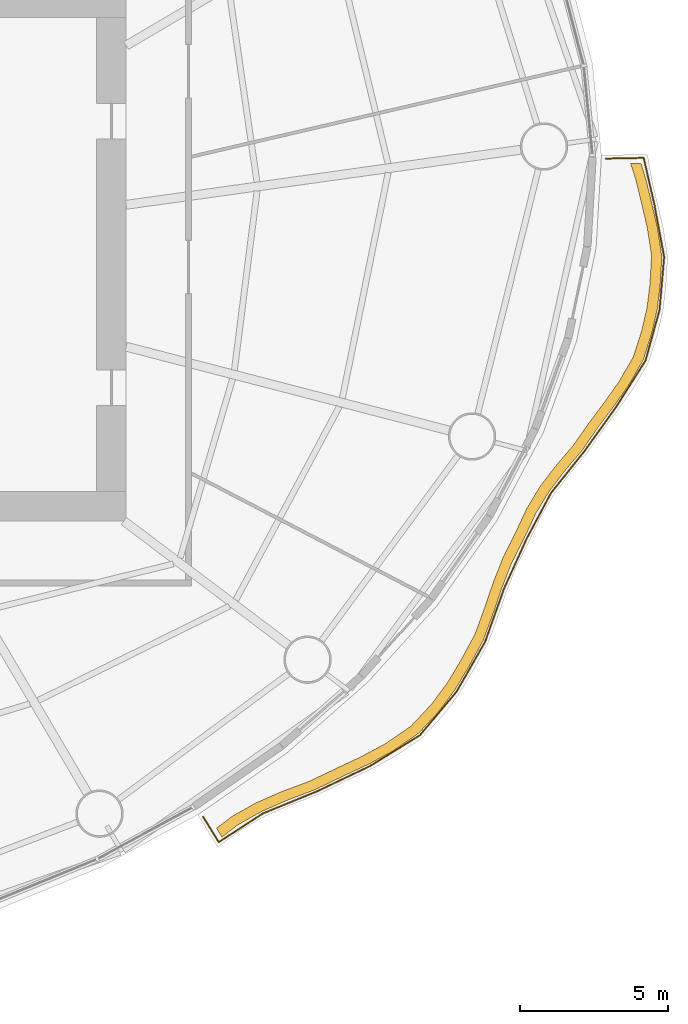
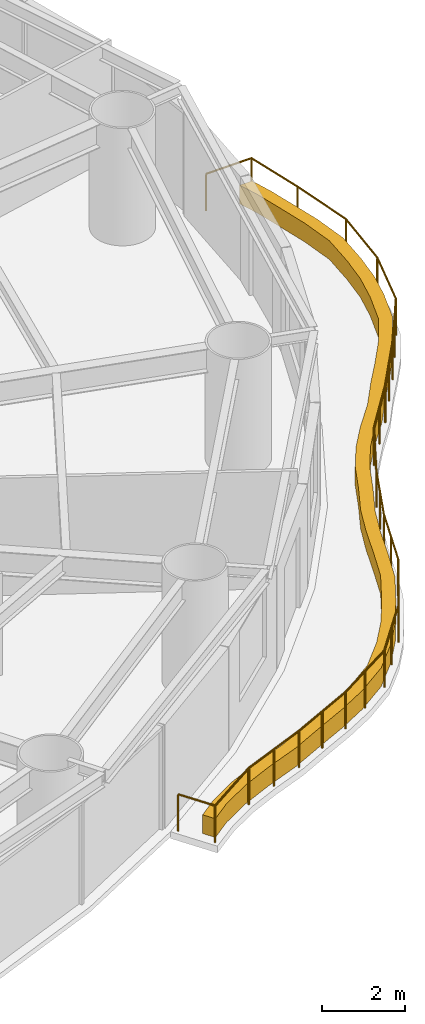
# One storey, part 14 of 16: 1 covering, 1 railing.
"""IFC4 building model written with IfcOpenShell, lengths in metres."""

from ifc_helpers import new_model, si_unit, direction, frame, origin, origin_2d, place, context, subcontext, project, spatial, polyline, circle, outline, extrude, material, type_object, element, save


model = new_model("IFC4")

# Units and contexts
model_context = context("Model", 3, precision=1e-05, world=origin(), true_north=direction((0.0, 1.0)))
body_context = subcontext(model_context, "Body", "Model", "MODEL_VIEW")
ifc_project = project(units=[si_unit("LENGTHUNIT", "METRE"), si_unit("AREAUNIT", "SQUARE_METRE"), si_unit("VOLUMEUNIT", "CUBIC_METRE"), si_unit("PLANEANGLEUNIT", "RADIAN"), si_unit("MASSUNIT", "GRAM", prefix="KILO")], contexts=[model_context])

# Site, building, storey
site_placement = place(None, origin())
site = spatial("IfcSite", under=ifc_project, at=site_placement, CompositionType="ELEMENT")
building_placement = place(site_placement, origin())
building = spatial("IfcBuilding", under=site, at=building_placement, Name="Vermilion Reach Broadcast Tower", CompositionType="ELEMENT")
storey_placement = place(building_placement, frame((0.0, 0.0, 110.199951171875)))
storey = spatial("IfcBuildingStorey", under=building, at=storey_placement, Name="L25", CompositionType="ELEMENT", Elevation=110.199951171875)

# Covering
ifc_material_1 = material(Name="Planting soil and greenery")
covering_type = type_object("IfcCoveringType", Name="Balcony PLANTER", PredefinedType="USERDEFINED", material=ifc_material_1)
covering_placement = place(storey_placement, origin())
element("IfcCovering", 1, at=covering_placement, inside=storey, type_object=covering_type, Name="PLANTER L25 group 4", ObjectType="PLANTER", PredefinedType="USERDEFINED", context=body_context, shape_type="SweptSolid", body=[
    extrude(outline(polyline([(9.231201171875, -19.671630859375), (9.77197265625, -19.2626953125), (10.573486328125, -18.8076171875), (11.430419921875, -18.43212890625), (12.3994140625, -18.063232421875), (13.32568359375, -17.615234375), (14.1767578125, -17.215576171875), (14.992431640625, -16.775634765625), (15.859375, -16.178466796875), (16.5615234375, -15.42822265625), (17.0927734375, -14.71484375), (17.55712890625, -13.941162109375), (18.05419921875, -13.0361328125), (18.40576171875, -12.08056640625), (18.696533203125, -11.227783203125), (19.023681640625, -10.400634765625), (19.45166015625, -9.55859375), (19.83935546875, -8.730712890625), (20.277587890625, -8.0087890625), (20.79248046875, -7.327392578125), (21.41357421875, -6.591064453125), (21.95361328125, -5.809326171875), (22.4677734375, -5.12255859375), (22.9599609375, -4.427734375), (23.46044921875, -3.558837890625), (23.75341796875, -2.631591796875), (23.932373046875, -1.8505859375), (24.02880859375, -1.052001953125), (24.0859375, -0.0751953125), (23.94189453125, 0.8857421875), (23.756103515625, 1.682373046875), (23.564453125, 2.479248046875), (23.383544921875, 3.07958984375), (23.03369140625, 3.07275390625), (23.215087890625, 2.49951171875), (23.40673828125, 1.70263671875), (23.592529296875, 0.906005859375), (23.739013671875, -0.029052734375), (23.686279296875, -0.980224609375), (23.58984375, -1.77880859375), (23.410888671875, -2.559814453125), (23.123779296875, -3.462890625), (22.631103515625, -4.307861328125), (22.138916015625, -5.002685546875), (21.624755859375, -5.689453125), (21.093505859375, -6.44921875), (20.482666015625, -7.164306640625), (19.9677734375, -7.845947265625), (19.529541015625, -8.56787109375), (19.153076171875, -9.376220703125), (18.7373046875, -10.199462890625), (18.41015625, -11.026611328125), (18.119384765625, -11.879150390625), (17.780517578125, -12.817626953125), (17.297607421875, -13.70654296875), (16.8330078125, -14.480224609375), (16.3017578125, -15.193603515625), (15.61376953125, -15.92919921875), (14.761962890625, -16.512451171875), (13.946044921875, -16.952392578125), (13.094970703125, -17.351806640625), (12.18408203125, -17.787109375), (11.23095703125, -18.14453125), (10.3740234375, -18.52001953125), (9.572509765625, -18.97509765625), (9.0478515625, -19.37353515625), (9.231201171875, -19.671630859375)])), origin(), (0.0, 0.0, 1.0), 0.550048828125),
])

# Railing
ifc_material_2 = material(Name="Stainless steel 316 balustrade", Category="steel")
railing_type = type_object("IfcRailingType", Name="Balcony guard 1100", PredefinedType="BALUSTRADE", material=ifc_material_2)
railing_placement = place(storey_placement, frame((8.59423828125, -18.979736328125, 0.0)))
element("IfcRailing", 2, at=railing_placement, inside=storey, type_object=railing_type, Name="Balcony guard L25 group 4", PredefinedType="BALUSTRADE", context=body_context, shape_type="SweptSolid", body=[
    extrude(circle(Radius=0.02490234375, at=origin_2d()), frame((0.0, 0.0, 1.0751953125), z_axis=(0.524137761267, -0.851633493479, 0.0), x_axis=(0.851633493479, 0.524137761267, 0.0)), (0.0, 0.0, 1.0), 1.01318359375),
    extrude(circle(Radius=0.02490234375, at=origin_2d()), frame((0.531005859375, -0.86279296875, 1.0751953125), z_axis=(0.838903764545, 0.54427977533, 0.0), x_axis=(-0.54427977533, 0.838903764545, 0.0)), (0.0, 0.0, 1.0), 1.78076171875),
    extrude(circle(Radius=0.02490234375, at=origin_2d()), frame((2.02490234375, 0.1064453125, 1.0751953125), z_axis=(0.925794708606, 0.378026662441, 0.0), x_axis=(-0.378026662441, 0.925794708606, 0.0)), (0.0, 0.0, 1.0), 1.976318359375),
    extrude(circle(Radius=0.02490234375, at=origin_2d()), frame((3.8544921875, 0.853515625, 1.0751953125), z_axis=(0.902395765862, 0.430908205717, 0.0), x_axis=(-0.430908205717, 0.902395765862, 0.0)), (0.0, 0.0, 1.0), 1.973388671875),
    extrude(circle(Radius=0.02490234375, at=origin_2d()), frame((5.63525390625, 1.703857421875, 1.0751953125), z_axis=(0.851044214733, 0.525094034025, 0.0), x_axis=(-0.525094034025, 0.851044214733, 0.0)), (0.0, 0.0, 1.0), 1.981201171875),
    extrude(circle(Radius=0.02490234375, at=origin_2d()), frame((7.3212890625, 2.744140625, 1.0751953125), z_axis=(0.644429548252, 0.764663689042, 0.0), x_axis=(-0.764663689042, 0.644429548252, 0.0)), (0.0, 0.0, 1.0), 1.9189453125),
    extrude(circle(Radius=0.02490234375, at=origin_2d()), frame((8.557861328125, 4.21142578125, 1.0751953125), z_axis=(0.497399271961, 0.867521737049, 0.0), x_axis=(-0.867521737049, 0.497399271961, 0.0)), (0.0, 0.0, 1.0), 1.939208984375),
    extrude(circle(Radius=0.02490234375, at=origin_2d()), frame((9.5224609375, 5.893798828125, 1.0751953125), z_axis=(0.335467867071, 0.942051649414, 0.0), x_axis=(-0.942051649414, 0.335467867071, 0.0)), (0.0, 0.0, 1.0), 1.923583984375),
    extrude(circle(Radius=0.02490234375, at=origin_2d()), frame((10.167724609375, 7.705810546875, 1.0751953125), z_axis=(0.412601177582, 0.910911778526, 0.0), x_axis=(-0.910911778526, 0.412601177582, 0.0)), (0.0, 0.0, 1.0), 1.837158203125),
    extrude(circle(Radius=0.02490234375, at=origin_2d()), frame((10.92578125, 9.37939453125, 1.0751953125), z_axis=(0.470350782912, 0.882479541414, 0.0), x_axis=(-0.882479541414, 0.470350782912, 0.0)), (0.0, 0.0, 1.0), 1.76123046875),
    extrude(circle(Radius=0.02490234375, at=origin_2d()), frame((11.754150390625, 10.93359375, 1.0751953125), z_axis=(0.62474406303, 0.78082959454, 0.0), x_axis=(-0.78082959454, 0.62474406303, 0.0)), (0.0, 0.0, 1.0), 1.822265625),
    extrude(circle(Radius=0.02490234375, at=origin_2d()), frame((12.892578125, 12.3564453125, 1.0751953125), z_axis=(0.582600499294, 0.812758671576, 0.0), x_axis=(-0.812758671576, 0.582600499294, 0.0)), (0.0, 0.0, 1.0), 1.812744140625),
    extrude(circle(Radius=0.02490234375, at=origin_2d()), frame((13.94873046875, 13.829833984375, 1.0751953125), z_axis=(0.535292813671, 0.844666563581, 0.0), x_axis=(-0.844666563581, 0.535292813671, 0.0)), (0.0, 0.0, 1.0), 1.857666015625),
    extrude(circle(Radius=0.02490234375, at=origin_2d()), frame((14.943115234375, 15.39892578125, 1.0751953125), z_axis=(0.266241380198, 0.963906389371, 0.0), x_axis=(-0.963906389371, 0.266241380198, 0.0)), (0.0, 0.0, 1.0), 1.778076171875),
    extrude(circle(Radius=0.02490234375, at=origin_2d()), frame((15.41650390625, 17.11279296875, 1.0751953125), z_axis=(0.086435167675, 0.996257477658, 0.0), x_axis=(-0.996257477658, 0.086435167675, 0.0)), (0.0, 0.0, 1.0), 1.787841796875),
    extrude(circle(Radius=0.02490234375, at=origin_2d()), frame((15.571044921875, 18.89404296875, 1.0751953125), z_axis=(-0.183590046729, 0.983002896609, 0.0), x_axis=(-0.983002896609, -0.183590046729, 0.0)), (0.0, 0.0, 1.0), 1.7939453125),
    extrude(circle(Radius=0.02490234375, at=origin_2d()), frame((15.24169921875, 20.657470703125, 1.0751953125), z_axis=(-0.222926841667, 0.974835177486, 0.0), x_axis=(-0.974835177486, -0.222926841667, 0.0)), (0.0, 0.0, 1.0), 1.6240234375),
    extrude(circle(Radius=0.02490234375, at=origin_2d()), frame((14.879638671875, 22.24072265625, 1.0751953125), z_axis=(-0.999807748488, -0.019607806187, 0.0), x_axis=(0.019607806187, -0.999807748488, 0.0)), (0.0, 0.0, 1.0), 1.282470703125),
    extrude(circle(Radius=0.02490234375, at=origin_2d()), origin(), (0.0, 0.0, 1.0), 1.050048828125),
    extrude(circle(Radius=0.02490234375, at=origin_2d()), frame((0.531005859375, -0.86279296875, 0.0)), (0.0, 0.0, 1.0), 1.050048828125),
    extrude(circle(Radius=0.02490234375, at=origin_2d()), frame((2.02490234375, 0.1064453125, 0.0)), (0.0, 0.0, 1.0), 1.050048828125),
    extrude(circle(Radius=0.02490234375, at=origin_2d()), frame((2.939697265625, 0.47998046875, 0.0)), (0.0, 0.0, 1.0), 1.050048828125),
    extrude(circle(Radius=0.02490234375, at=origin_2d()), frame((3.8544921875, 0.853515625, 0.0)), (0.0, 0.0, 1.0), 1.050048828125),
    extrude(circle(Radius=0.02490234375, at=origin_2d()), frame((4.744873046875, 1.27880859375, 0.0)), (0.0, 0.0, 1.0), 1.050048828125),
    extrude(circle(Radius=0.02490234375, at=origin_2d()), frame((5.63525390625, 1.703857421875, 0.0)), (0.0, 0.0, 1.0), 1.050048828125),
    extrude(circle(Radius=0.02490234375, at=origin_2d()), frame((6.478271484375, 2.22412109375, 0.0)), (0.0, 0.0, 1.0), 1.050048828125),
    extrude(circle(Radius=0.02490234375, at=origin_2d()), frame((7.3212890625, 2.744140625, 0.0)), (0.0, 0.0, 1.0), 1.050048828125),
    extrude(circle(Radius=0.02490234375, at=origin_2d()), frame((7.939453125, 3.477783203125, 0.0)), (0.0, 0.0, 1.0), 1.050048828125),
    extrude(circle(Radius=0.02490234375, at=origin_2d()), frame((8.557861328125, 4.21142578125, 0.0)), (0.0, 0.0, 1.0), 1.050048828125),
    extrude(circle(Radius=0.02490234375, at=origin_2d()), frame((9.0400390625, 5.052734375, 0.0)), (0.0, 0.0, 1.0), 1.050048828125),
    extrude(circle(Radius=0.02490234375, at=origin_2d()), frame((9.5224609375, 5.893798828125, 0.0)), (0.0, 0.0, 1.0), 1.050048828125),
    extrude(circle(Radius=0.02490234375, at=origin_2d()), frame((9.84521484375, 6.7998046875, 0.0)), (0.0, 0.0, 1.0), 1.050048828125),
    extrude(circle(Radius=0.02490234375, at=origin_2d()), frame((10.167724609375, 7.705810546875, 0.0)), (0.0, 0.0, 1.0), 1.050048828125),
    extrude(circle(Radius=0.02490234375, at=origin_2d()), frame((10.546875, 8.54248046875, 0.0)), (0.0, 0.0, 1.0), 1.050048828125),
    extrude(circle(Radius=0.02490234375, at=origin_2d()), frame((10.92578125, 9.37939453125, 0.0)), (0.0, 0.0, 1.0), 1.050048828125),
    extrude(circle(Radius=0.02490234375, at=origin_2d()), frame((11.754150390625, 10.93359375, 0.0)), (0.0, 0.0, 1.0), 1.050048828125),
    extrude(circle(Radius=0.02490234375, at=origin_2d()), frame((12.3232421875, 11.64501953125, 0.0)), (0.0, 0.0, 1.0), 1.050048828125),
    extrude(circle(Radius=0.02490234375, at=origin_2d()), frame((12.892578125, 12.3564453125, 0.0)), (0.0, 0.0, 1.0), 1.050048828125),
    extrude(circle(Radius=0.02490234375, at=origin_2d()), frame((13.420654296875, 13.09326171875, 0.0)), (0.0, 0.0, 1.0), 1.050048828125),
    extrude(circle(Radius=0.02490234375, at=origin_2d()), frame((13.94873046875, 13.829833984375, 0.0)), (0.0, 0.0, 1.0), 1.050048828125),
    extrude(circle(Radius=0.02490234375, at=origin_2d()), frame((14.44580078125, 14.6142578125, 0.0)), (0.0, 0.0, 1.0), 1.050048828125),
    extrude(circle(Radius=0.02490234375, at=origin_2d()), frame((14.943115234375, 15.39892578125, 0.0)), (0.0, 0.0, 1.0), 1.050048828125),
    extrude(circle(Radius=0.02490234375, at=origin_2d()), frame((15.41650390625, 17.11279296875, 0.0)), (0.0, 0.0, 1.0), 1.050048828125),
    extrude(circle(Radius=0.02490234375, at=origin_2d()), frame((15.571044921875, 18.89404296875, 0.0)), (0.0, 0.0, 1.0), 1.050048828125),
    extrude(circle(Radius=0.02490234375, at=origin_2d()), frame((15.24169921875, 20.657470703125, 0.0)), (0.0, 0.0, 1.0), 1.050048828125),
    extrude(circle(Radius=0.02490234375, at=origin_2d()), frame((14.879638671875, 22.24072265625, 0.0)), (0.0, 0.0, 1.0), 1.050048828125),
    extrude(circle(Radius=0.02490234375, at=origin_2d()), frame((13.597412109375, 22.215576171875, 0.0)), (0.0, 0.0, 1.0), 1.050048828125),
])

save(model, "model.ifc")
